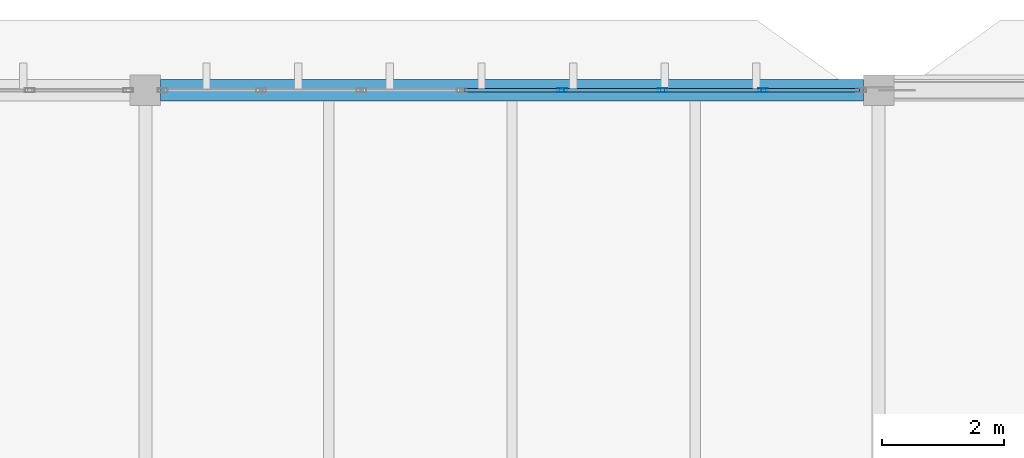
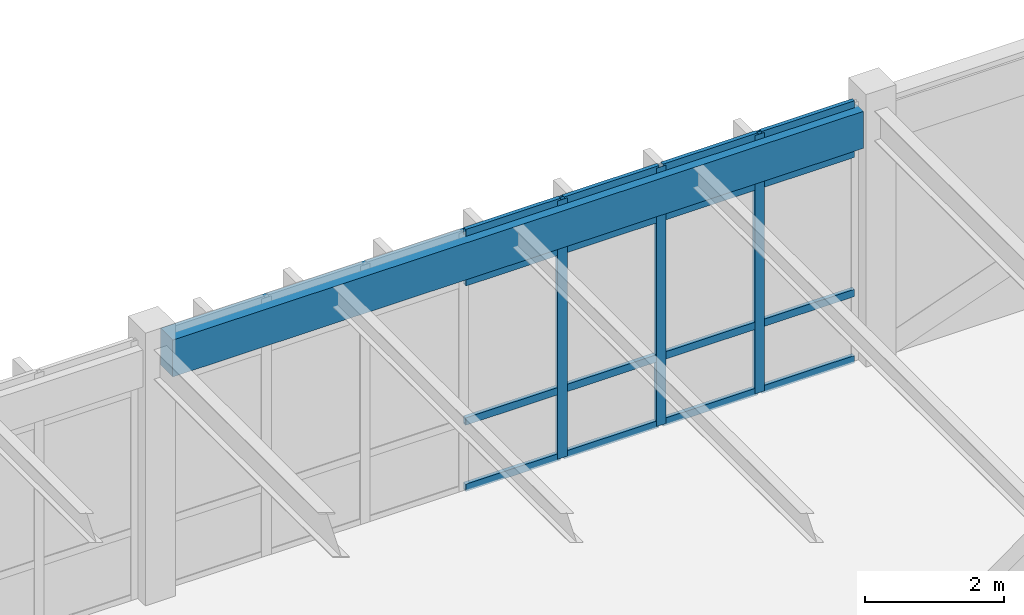
# One storey, part 100 of 236: 19 members, 1 beam, 1 element without a shape of its own.
"""IFC4 building model written with IfcOpenShell, lengths in metres."""

from ifc_helpers import new_model, si_unit, direction, frame, origin, origin_2d, place, context, subcontext, project, spatial, rectangle, hollow_rectangle, extrude, material, layer, layer_set, material_profile, profile_set, type_object, element, aggregate, save


model = new_model("IFC4")

# Units and contexts
model_context = context("Model", 3, precision=1e-05, world=origin(), true_north=direction((0.0, 1.0)))
body_context = subcontext(model_context, "Body", "Model", "MODEL_VIEW")
ifc_project = project(units=[si_unit("LENGTHUNIT", "METRE"), si_unit("AREAUNIT", "SQUARE_METRE"), si_unit("VOLUMEUNIT", "CUBIC_METRE"), si_unit("PLANEANGLEUNIT", "RADIAN"), si_unit("MASSUNIT", "GRAM", prefix="KILO")], contexts=[model_context])

# Site, building, storey
site_placement = place(None, origin())
site = spatial("IfcSite", under=ifc_project, at=site_placement, CompositionType="ELEMENT")
building_placement = place(site_placement, origin())
building = spatial("IfcBuilding", under=site, at=building_placement, Name="Pandanus Reach Market Hall", CompositionType="ELEMENT")
storey_placement = place(building_placement, frame((0.0, 0.0, 5.39990234375)))
storey = spatial("IfcBuildingStorey", under=building, at=storey_placement, Name="L01", CompositionType="ELEMENT", Elevation=5.39990234375)

# Beam
ifc_material_1 = material(Name="Concrete N40 (40 MPa)", Category="concrete")
ifc_material_profile_1 = material_profile(ifc_material_1, rectangle(XDim=0.35009765625, YDim=0.64990234375, at=origin_2d()), Name="RC350x650", Category="LoadBearing")
ifc_profile_set_1 = profile_set([ifc_material_profile_1], Name="Concrete N40 (40 MPa)")
beam_type = type_object("IfcBeamType", Name="BM-RC350-E", PredefinedType="SPANDREL", material=ifc_profile_set_1)
beam_placement = place(storey_placement, frame((84.248046875, 120.0, 4.135009765625), z_axis=(1.0, 0.0, 0.0), x_axis=(0.0, 1.0, 0.0)))
element("IfcBeam", 1, at=beam_placement, inside=storey, type_object=beam_type, Name="Framing beam BM-RC350-E L01.864", PredefinedType="SPANDREL", context=body_context, shape_type="SweptSolid", body=[
    extrude(rectangle(XDim=0.35009765625, YDim=0.64990234375, at=origin_2d()), origin(), (0.0, 0.0, 1.0), 11.50390625),
])

# Curtain wall, members
ifc_material_2 = material(Name="Bronze anodised aluminium and low-E glass", Category="aluminium")
ifc_layer = layer(ifc_material_2, 0.159912109375, Name="CW-39")
ifc_layer_set = layer_set([ifc_layer], Name="Bronze anodised aluminium and low-E glass")
curtain_wall_type = type_object("IfcCurtainWallType", Name="CW-39", PredefinedType="NOTDEFINED", material=ifc_layer_set)
curtain_wall_placement = place(storey_placement, origin())
curtain_wall = element("IfcCurtainWall", 2, at=curtain_wall_placement, inside=storey, type_object=curtain_wall_type, Name="Glazed curtain wall CW-39 CW-0139", PredefinedType="NOTDEFINED")
ifc_material_3 = material(Name="Bronze anodised aluminium", Category="aluminium")
ifc_material_profile_2 = material_profile(ifc_material_3, hollow_rectangle(XDim=0.06494140625, YDim=0.159912109375, WallThickness=0.00390625, at=origin_2d()), Name="ALU65x160", Category="LoadBearing")
ifc_profile_set_2 = profile_set([ifc_material_profile_2], Name="Bronze anodised aluminium")
member_type_1 = type_object("IfcMemberType", Name="CW-M1", PredefinedType="MULLION", material=ifc_profile_set_2)
member_1_placement = place(storey_placement, frame((90.821533203125, 120.0, 0.0), z_axis=(0.0, 0.0, 1.0), x_axis=(0.0, 1.0, 0.0)))
member_1 = element("IfcMember", 3, at=member_1_placement, type_object=member_type_1, Name="CW-39 mullion 5", PredefinedType="MULLION", context=body_context, shape_type="SweptSolid", body=[
    extrude(hollow_rectangle(XDim=0.06494140625, YDim=0.159912109375, WallThickness=0.00390625, at=origin_2d()), origin(), (0.0, 0.0, 1.0), 4.550048828125),
])
member_2_placement = place(storey_placement, frame((92.46435546875, 120.0, 0.0), z_axis=(0.0, 0.0, 1.0), x_axis=(0.0, 1.0, 0.0)))
member_2 = element("IfcMember", 4, at=member_2_placement, type_object=member_type_1, Name="CW-39 mullion 6", PredefinedType="MULLION", context=body_context, shape_type="SweptSolid", body=[
    extrude(hollow_rectangle(XDim=0.06494140625, YDim=0.159912109375, WallThickness=0.00390625, at=origin_2d()), origin(), (0.0, 0.0, 1.0), 4.550048828125),
])
member_3_placement = place(storey_placement, frame((94.107177734375, 120.0, 0.0), z_axis=(0.0, 0.0, 1.0), x_axis=(0.0, 1.0, 0.0)))
member_3 = element("IfcMember", 5, at=member_3_placement, type_object=member_type_1, Name="CW-39 mullion 7", PredefinedType="MULLION", context=body_context, shape_type="SweptSolid", body=[
    extrude(hollow_rectangle(XDim=0.06494140625, YDim=0.159912109375, WallThickness=0.00390625, at=origin_2d()), origin(), (0.0, 0.0, 1.0), 4.550048828125),
])
ifc_material_profile_3 = material_profile(ifc_material_3, hollow_rectangle(XDim=0.06494140625, YDim=0.1298828125, WallThickness=0.00390625, at=origin_2d()), Name="ALU65x130", Category="LoadBearing")
ifc_profile_set_3 = profile_set([ifc_material_profile_3], Name="Bronze anodised aluminium")
member_type_2 = type_object("IfcMemberType", Name="CW-T1", PredefinedType="USERDEFINED", material=ifc_profile_set_3)
member_4_placement = place(storey_placement, frame((89.211181640625, 120.0, 0.03271484375), z_axis=(1.0, 0.0, 0.0), x_axis=(0.0, 1.0, 0.0)))
member_4 = element("IfcMember", 6, at=member_4_placement, type_object=member_type_2, Name="CW-39 transom 4.1", ObjectType="TRANSOM", PredefinedType="USERDEFINED", context=body_context, shape_type="SweptSolid", body=[
    extrude(hollow_rectangle(XDim=0.06494140625, YDim=0.1298828125, WallThickness=0.00390625, at=origin_2d()), origin(), (0.0, 0.0, 1.0), 1.57763671875),
])
member_5_placement = place(storey_placement, frame((89.211181640625, 120.0, 1.2001953125), z_axis=(1.0, 0.0, 0.0), x_axis=(0.0, 1.0, 0.0)))
member_5 = element("IfcMember", 7, at=member_5_placement, type_object=member_type_2, Name="CW-39 transom 4.2", ObjectType="TRANSOM", PredefinedType="USERDEFINED", context=body_context, shape_type="SweptSolid", body=[
    extrude(hollow_rectangle(XDim=0.06494140625, YDim=0.1298828125, WallThickness=0.00390625, at=origin_2d()), origin(), (0.0, 0.0, 1.0), 1.57763671875),
])
member_6_placement = place(storey_placement, frame((89.211181640625, 120.0, 3.650146484375), z_axis=(1.0, 0.0, 0.0), x_axis=(0.0, 1.0, 0.0)))
member_6 = element("IfcMember", 8, at=member_6_placement, type_object=member_type_2, Name="CW-39 transom 4.3", ObjectType="TRANSOM", PredefinedType="USERDEFINED", context=body_context, shape_type="SweptSolid", body=[
    extrude(hollow_rectangle(XDim=0.06494140625, YDim=0.1298828125, WallThickness=0.00390625, at=origin_2d()), origin(), (0.0, 0.0, 1.0), 1.57763671875),
])
member_7_placement = place(storey_placement, frame((89.211181640625, 120.0, 4.517578125), z_axis=(1.0, 0.0, 0.0), x_axis=(0.0, 1.0, 0.0)))
member_7 = element("IfcMember", 9, at=member_7_placement, type_object=member_type_2, Name="CW-39 transom 4.4", ObjectType="TRANSOM", PredefinedType="USERDEFINED", context=body_context, shape_type="SweptSolid", body=[
    extrude(hollow_rectangle(XDim=0.06494140625, YDim=0.1298828125, WallThickness=0.00390625, at=origin_2d()), origin(), (0.0, 0.0, 1.0), 1.57763671875),
])
member_8_placement = place(storey_placement, frame((90.85400390625, 120.0, 0.03271484375), z_axis=(1.0, 0.0, 0.0), x_axis=(0.0, 1.0, 0.0)))
member_8 = element("IfcMember", 10, at=member_8_placement, type_object=member_type_2, Name="CW-39 transom 5.1", ObjectType="TRANSOM", PredefinedType="USERDEFINED", context=body_context, shape_type="SweptSolid", body=[
    extrude(hollow_rectangle(XDim=0.06494140625, YDim=0.1298828125, WallThickness=0.00390625, at=origin_2d()), origin(), (0.0, 0.0, 1.0), 1.577880859375),
])
member_9_placement = place(storey_placement, frame((90.85400390625, 120.0, 1.2001953125), z_axis=(1.0, 0.0, 0.0), x_axis=(0.0, 1.0, 0.0)))
member_9 = element("IfcMember", 11, at=member_9_placement, type_object=member_type_2, Name="CW-39 transom 5.2", ObjectType="TRANSOM", PredefinedType="USERDEFINED", context=body_context, shape_type="SweptSolid", body=[
    extrude(hollow_rectangle(XDim=0.06494140625, YDim=0.1298828125, WallThickness=0.00390625, at=origin_2d()), origin(), (0.0, 0.0, 1.0), 1.577880859375),
])
member_10_placement = place(storey_placement, frame((90.85400390625, 120.0, 3.650146484375), z_axis=(1.0, 0.0, 0.0), x_axis=(0.0, 1.0, 0.0)))
member_10 = element("IfcMember", 12, at=member_10_placement, type_object=member_type_2, Name="CW-39 transom 5.3", ObjectType="TRANSOM", PredefinedType="USERDEFINED", context=body_context, shape_type="SweptSolid", body=[
    extrude(hollow_rectangle(XDim=0.06494140625, YDim=0.1298828125, WallThickness=0.00390625, at=origin_2d()), origin(), (0.0, 0.0, 1.0), 1.577880859375),
])
member_11_placement = place(storey_placement, frame((90.85400390625, 120.0, 4.517578125), z_axis=(1.0, 0.0, 0.0), x_axis=(0.0, 1.0, 0.0)))
member_11 = element("IfcMember", 13, at=member_11_placement, type_object=member_type_2, Name="CW-39 transom 5.4", ObjectType="TRANSOM", PredefinedType="USERDEFINED", context=body_context, shape_type="SweptSolid", body=[
    extrude(hollow_rectangle(XDim=0.06494140625, YDim=0.1298828125, WallThickness=0.00390625, at=origin_2d()), origin(), (0.0, 0.0, 1.0), 1.577880859375),
])
member_12_placement = place(storey_placement, frame((92.496826171875, 120.0, 0.03271484375), z_axis=(1.0, 0.0, 0.0), x_axis=(0.0, 1.0, 0.0)))
member_12 = element("IfcMember", 14, at=member_12_placement, type_object=member_type_2, Name="CW-39 transom 6.1", ObjectType="TRANSOM", PredefinedType="USERDEFINED", context=body_context, shape_type="SweptSolid", body=[
    extrude(hollow_rectangle(XDim=0.06494140625, YDim=0.1298828125, WallThickness=0.00390625, at=origin_2d()), origin(), (0.0, 0.0, 1.0), 1.577880859375),
])
member_13_placement = place(storey_placement, frame((92.496826171875, 120.0, 1.2001953125), z_axis=(1.0, 0.0, 0.0), x_axis=(0.0, 1.0, 0.0)))
member_13 = element("IfcMember", 15, at=member_13_placement, type_object=member_type_2, Name="CW-39 transom 6.2", ObjectType="TRANSOM", PredefinedType="USERDEFINED", context=body_context, shape_type="SweptSolid", body=[
    extrude(hollow_rectangle(XDim=0.06494140625, YDim=0.1298828125, WallThickness=0.00390625, at=origin_2d()), origin(), (0.0, 0.0, 1.0), 1.577880859375),
])
member_14_placement = place(storey_placement, frame((92.496826171875, 120.0, 3.650146484375), z_axis=(1.0, 0.0, 0.0), x_axis=(0.0, 1.0, 0.0)))
member_14 = element("IfcMember", 16, at=member_14_placement, type_object=member_type_2, Name="CW-39 transom 6.3", ObjectType="TRANSOM", PredefinedType="USERDEFINED", context=body_context, shape_type="SweptSolid", body=[
    extrude(hollow_rectangle(XDim=0.06494140625, YDim=0.1298828125, WallThickness=0.00390625, at=origin_2d()), origin(), (0.0, 0.0, 1.0), 1.577880859375),
])
member_15_placement = place(storey_placement, frame((92.496826171875, 120.0, 4.517578125), z_axis=(1.0, 0.0, 0.0), x_axis=(0.0, 1.0, 0.0)))
member_15 = element("IfcMember", 17, at=member_15_placement, type_object=member_type_2, Name="CW-39 transom 6.4", ObjectType="TRANSOM", PredefinedType="USERDEFINED", context=body_context, shape_type="SweptSolid", body=[
    extrude(hollow_rectangle(XDim=0.06494140625, YDim=0.1298828125, WallThickness=0.00390625, at=origin_2d()), origin(), (0.0, 0.0, 1.0), 1.577880859375),
])
member_16_placement = place(storey_placement, frame((94.1396484375, 120.0, 0.03271484375), z_axis=(1.0, 0.0, 0.0), x_axis=(0.0, 1.0, 0.0)))
member_16 = element("IfcMember", 18, at=member_16_placement, type_object=member_type_2, Name="CW-39 transom 7.1", ObjectType="TRANSOM", PredefinedType="USERDEFINED", context=body_context, shape_type="SweptSolid", body=[
    extrude(hollow_rectangle(XDim=0.06494140625, YDim=0.1298828125, WallThickness=0.00390625, at=origin_2d()), origin(), (0.0, 0.0, 1.0), 1.54541015625),
])
member_17_placement = place(storey_placement, frame((94.1396484375, 120.0, 1.2001953125), z_axis=(1.0, 0.0, 0.0), x_axis=(0.0, 1.0, 0.0)))
member_17 = element("IfcMember", 19, at=member_17_placement, type_object=member_type_2, Name="CW-39 transom 7.2", ObjectType="TRANSOM", PredefinedType="USERDEFINED", context=body_context, shape_type="SweptSolid", body=[
    extrude(hollow_rectangle(XDim=0.06494140625, YDim=0.1298828125, WallThickness=0.00390625, at=origin_2d()), origin(), (0.0, 0.0, 1.0), 1.54541015625),
])
member_18_placement = place(storey_placement, frame((94.1396484375, 120.0, 3.650146484375), z_axis=(1.0, 0.0, 0.0), x_axis=(0.0, 1.0, 0.0)))
member_18 = element("IfcMember", 20, at=member_18_placement, type_object=member_type_2, Name="CW-39 transom 7.3", ObjectType="TRANSOM", PredefinedType="USERDEFINED", context=body_context, shape_type="SweptSolid", body=[
    extrude(hollow_rectangle(XDim=0.06494140625, YDim=0.1298828125, WallThickness=0.00390625, at=origin_2d()), origin(), (0.0, 0.0, 1.0), 1.54541015625),
])
member_19_placement = place(storey_placement, frame((94.1396484375, 120.0, 4.517578125), z_axis=(1.0, 0.0, 0.0), x_axis=(0.0, 1.0, 0.0)))
member_19 = element("IfcMember", 21, at=member_19_placement, type_object=member_type_2, Name="CW-39 transom 7.4", ObjectType="TRANSOM", PredefinedType="USERDEFINED", context=body_context, shape_type="SweptSolid", body=[
    extrude(hollow_rectangle(XDim=0.06494140625, YDim=0.1298828125, WallThickness=0.00390625, at=origin_2d()), origin(), (0.0, 0.0, 1.0), 1.54541015625),
])
aggregate(curtain_wall, [member_1, member_2, member_3, member_4, member_5, member_6, member_7, member_8, member_9, member_10, member_11, member_12, member_13, member_14, member_15, member_16, member_17, member_18, member_19])

save(model, "model.ifc")
